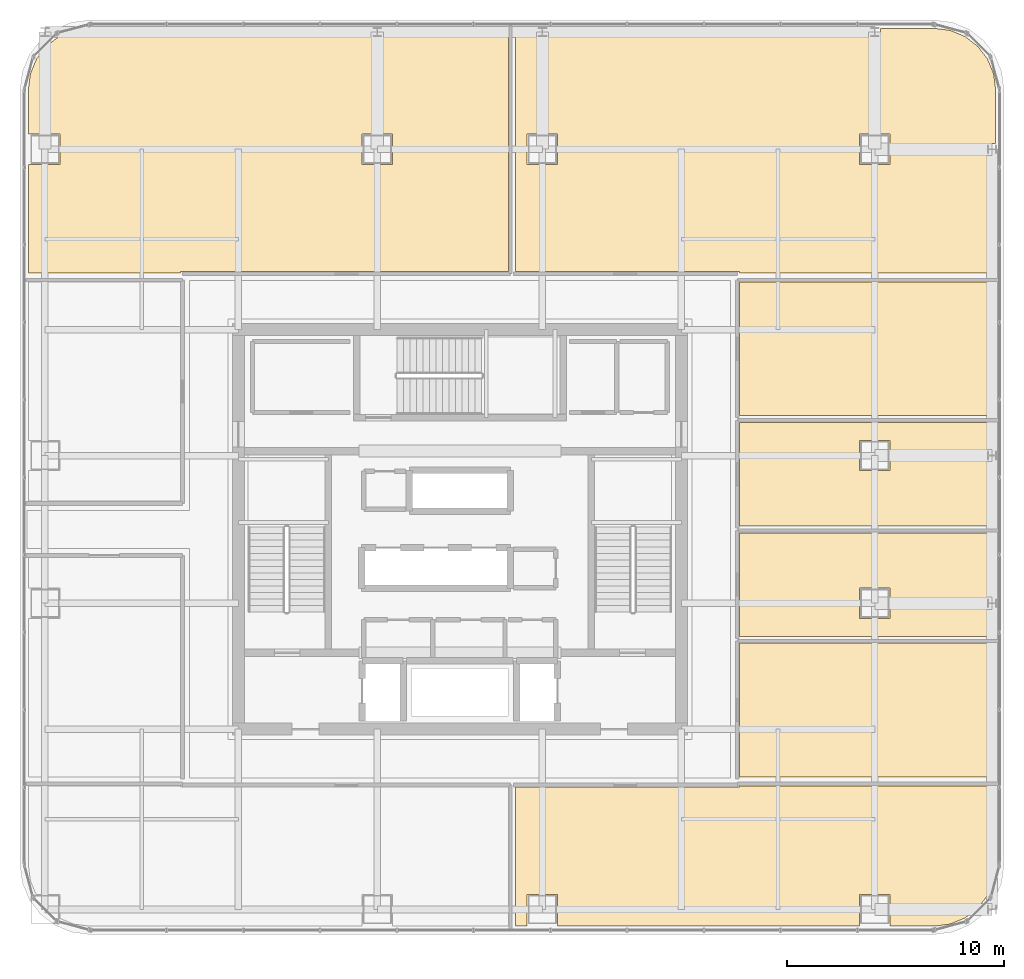
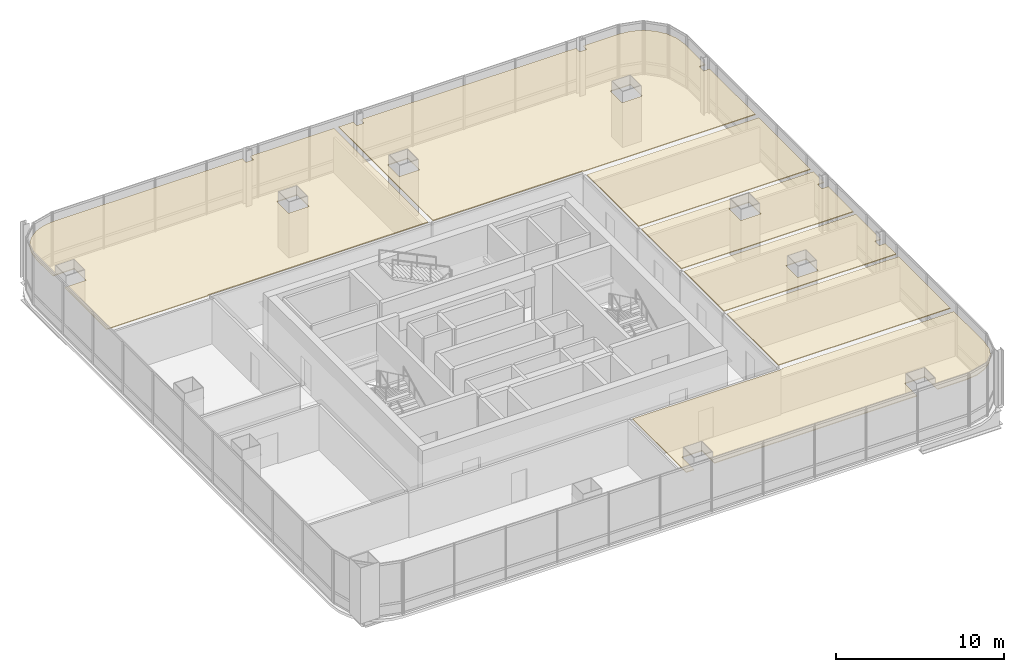
# One storey, part 39 of 39: 7 coverings.
"""IFC4 building model written with IfcOpenShell, lengths in metres."""

import ifcopenshell
import ifcopenshell.guid

model = None  # the IFC model being written
_history = None  # IfcOwnerHistory: only IFC2X3 demands one
_inside = {}  # id of a spatial element -> (the spatial element, [elements in it])
_under = {}  # id of a project, library or spatial element -> (it, [spatial elements below it])
_declared = {}  # id of a project -> (the project, [libraries it declares])
_typed = {}  # id of a type object -> (the type object, [elements of that type])
_made_of = {}  # id of a material, layer set ... -> (it, [elements and type objects made of it])


def new_model(schema):
    """Start an empty IFC model of exactly this schema.

    Asked for "IFC4X3", IfcOpenShell would pick the latest addendum, in which some entities
    have other attributes; the version numbers below select the first issue.
    IFC2X3 requires an IfcOwnerHistory on every rooted entity: one is made here for all.
    """
    global model, _history
    if schema == "IFC4X3":
        model = ifcopenshell.file(schema_version=(4, 3, 0, 0))
    else:
        model = ifcopenshell.file(schema=schema)
    _inside.clear()
    _under.clear()
    _declared.clear()
    _typed.clear()
    _made_of.clear()
    _history = None
    if model.schema == "IFC2X3":
        org = make("IfcOrganization", Name="unknown")
        user = make(
            "IfcPersonAndOrganization",
            ThePerson=make("IfcPerson", FamilyName="unknown"),
            TheOrganization=org,
        )
        app = make(
            "IfcApplication",
            ApplicationDeveloper=org,
            Version="unknown",
            ApplicationFullName="unknown",
            ApplicationIdentifier="unknown",
        )
        _history = make(
            "IfcOwnerHistory",
            OwningUser=user,
            OwningApplication=app,
            ChangeAction="ADDED",
            CreationDate=0,
        )
    return model


def make(cls, **values):
    """One entity of the class cls with the attributes given. An attribute that is None is left unset."""
    return model.create_entity(
        cls, **{name: value for name, value in values.items() if value is not None}
    )


def rooted(cls, **values):
    """An entity with a GlobalId (a new one), such as an element, a storey or a relation."""
    return make(cls, GlobalId=ifcopenshell.guid.new(), OwnerHistory=_history, **values)


def si_unit(unit_type, name, prefix=None):
    """IfcSIUnit, for example si_unit("LENGTHUNIT", "METRE", prefix="MILLI")."""
    return make("IfcSIUnit", UnitType=unit_type, Prefix=prefix, Name=name)


def assignment(units):
    """IfcUnitAssignment: the units of a project."""
    return None if units is None else make("IfcUnitAssignment", Units=units)


def point(xyz):
    """IfcCartesianPoint."""
    return None if xyz is None else make("IfcCartesianPoint", Coordinates=xyz)


def direction(xyz):
    """IfcDirection."""
    return None if xyz is None else make("IfcDirection", DirectionRatios=xyz)


def frame(location, z_axis=None, x_axis=None):
    """IfcAxis2Placement3D, a coordinate frame: its origin and axes. An axis left out is left unset."""
    return make(
        "IfcAxis2Placement3D",
        Location=point(location),
        Axis=direction(z_axis),
        RefDirection=direction(x_axis),
    )


def origin():
    """The frame at (0, 0, 0) with its axes left unset."""
    return frame((0.0, 0.0, 0.0))


def place(relative_to, where):
    """IfcLocalPlacement: puts the frame where relative to a parent placement (None: the world)."""
    return make(
        "IfcLocalPlacement", PlacementRelTo=relative_to, RelativePlacement=where
    )


def context(
    kind, dimensions, precision=None, world=None, true_north=None, identifier=None
):
    """IfcGeometricRepresentationContext, for example the 3D "Model" context."""
    return make(
        "IfcGeometricRepresentationContext",
        ContextIdentifier=identifier,
        ContextType=kind,
        CoordinateSpaceDimension=dimensions,
        Precision=precision,
        WorldCoordinateSystem=world,
        TrueNorth=true_north,
    )


def subcontext(parent, identifier, kind, view, scale=None):
    """IfcGeometricRepresentationSubContext, for example "Body" below "Model"."""
    return make(
        "IfcGeometricRepresentationSubContext",
        ContextIdentifier=identifier,
        ContextType=kind,
        ParentContext=parent,
        TargetScale=scale,
        TargetView=view,
    )


def project(units=None, contexts=None):
    """IfcProject with its units and contexts."""
    return rooted(
        "IfcProject",
        Name="project",
        RepresentationContexts=contexts,
        UnitsInContext=assignment(units),
    )


def spatial(cls, under=None, at=None, **own):
    """A site, building, storey or space (cls), placed at a placement, below another one or the project."""
    s = rooted(cls, ObjectPlacement=at, **own)
    if under is not None:
        _under.setdefault(under.id(), (under, []))[1].append(s)
    return s


def polyline(points):
    """IfcPolyline through the points."""
    return make("IfcPolyline", Points=[point(p) for p in points])


def outline(outer, holes=None, kind="AREA"):
    """IfcArbitraryClosedProfileDef: a profile drawn as a closed curve; with holes, ...WithVoids."""
    if holes is None:
        return make("IfcArbitraryClosedProfileDef", ProfileType=kind, OuterCurve=outer)
    return make(
        "IfcArbitraryProfileDefWithVoids",
        ProfileType=kind,
        OuterCurve=outer,
        InnerCurves=holes,
    )


def extrude(swept, where, along, depth):
    """IfcExtrudedAreaSolid: the profile swept, set in the frame where, extruded along a direction by depth."""
    return make(
        "IfcExtrudedAreaSolid",
        SweptArea=swept,
        Position=where,
        ExtrudedDirection=direction(along),
        Depth=depth,
    )


def shape(context_of_items, identifier, shape_type, items):
    """IfcShapeRepresentation: the items that make up one representation, for example the "Body"."""
    return make(
        "IfcShapeRepresentation",
        ContextOfItems=context_of_items,
        RepresentationIdentifier=identifier,
        RepresentationType=shape_type,
        Items=items,
    )


def material(Name=None, Category=None):
    """IfcMaterial."""
    return make("IfcMaterial", Name=Name, Category=Category)


def layer(
    of_material, thickness, ventilated=None, Name=None, Category=None, Priority=None
):
    """IfcMaterialLayer: one layer of a wall or slab, of a material (None: an air gap)."""
    return make(
        "IfcMaterialLayer",
        Material=of_material,
        LayerThickness=thickness,
        IsVentilated=ventilated,
        Name=Name,
        Category=Category,
        Priority=Priority,
    )


def layer_set(layers, Name=None):
    """IfcMaterialLayerSet."""
    return make("IfcMaterialLayerSet", MaterialLayers=layers, LayerSetName=Name)


def made_of(thing, what):
    """Note that an element or type object is made of a material, layer set ...; save() writes the relation."""
    if what is not None:
        _made_of.setdefault(what.id(), (what, []))[1].append(thing)
    return thing


def type_object(cls, material=None, **own):
    """A type object (cls), such as IfcWallType, which elements share."""
    return made_of(rooted(cls, **own), material)


def element(
    cls,
    number,
    at=None,
    inside=None,
    cuts=None,
    type_object=None,
    material=None,
    context=None,
    identifier="Body",
    shape_type=None,
    held_by="IfcProductDefinitionShape",
    body=None,
    shapes=None,
    **own,
):
    """One element of the class cls, such as IfcWall. Its Tag is "e" and its number.

    at: its placement. inside: the storey or other place that contains it. cuts: it is an
    opening in that element (IfcRelVoidsElement). A single representation is given by context,
    identifier, shape_type and body (its items); several are given by shapes. held_by: the class
    of the entity that holds the representations. save() writes the other relations.
    """
    e = rooted(cls, Tag="e%d" % number, ObjectPlacement=at, **own)
    if body is not None:
        shapes = [shape(context, identifier, shape_type, body)]
    if shapes is not None:
        e.Representation = make(held_by, Representations=shapes)
    if inside is not None:
        _inside.setdefault(inside.id(), (inside, []))[1].append(e)
    if cuts is not None:
        rooted(
            "IfcRelVoidsElement", RelatingBuildingElement=cuts, RelatedOpeningElement=e
        )
    if type_object is not None:
        _typed.setdefault(type_object.id(), (type_object, []))[1].append(e)
    return made_of(e, material)


def aggregate(whole, parts):
    """IfcRelAggregates: a whole, such as a stair, and the parts it consists of."""
    return rooted("IfcRelAggregates", RelatingObject=whole, RelatedObjects=parts)


def save(model, path):
    """Write the relations noted so far, then the file.

    IfcRelAggregates (storeys below a building ...), IfcRelContainedInSpatialStructure (elements
    in a storey), IfcRelDefinesByType, IfcRelAssociatesMaterial and IfcRelDeclares: one each for
    every whole, place, type object, material and project.
    """
    for whole, parts in _under.values():
        aggregate(whole, parts)
    for where, things in _inside.values():
        rooted(
            "IfcRelContainedInSpatialStructure",
            RelatedElements=things,
            RelatingStructure=where,
        )
    for kind, things in _typed.values():
        rooted("IfcRelDefinesByType", RelatedObjects=things, RelatingType=kind)
    for what, things in _made_of.values():
        rooted("IfcRelAssociatesMaterial", RelatedObjects=things, RelatingMaterial=what)
    for by, libraries in _declared.values():
        rooted("IfcRelDeclares", RelatingContext=by, RelatedDefinitions=libraries)
    model.write(path)


model = new_model("IFC4")

# Units and contexts
model_context = context("Model", 3, precision=1e-05, world=origin(), true_north=direction((0.0, 1.0)))
body_context = subcontext(model_context, "Body", "Model", "MODEL_VIEW")
ifc_project = project(units=[si_unit("LENGTHUNIT", "METRE"), si_unit("AREAUNIT", "SQUARE_METRE"), si_unit("VOLUMEUNIT", "CUBIC_METRE"), si_unit("PLANEANGLEUNIT", "RADIAN"), si_unit("MASSUNIT", "GRAM", prefix="KILO")], contexts=[model_context])

# Site, building, storey
site_placement = place(None, origin())
site = spatial("IfcSite", under=ifc_project, at=site_placement, CompositionType="ELEMENT")
building_placement = place(site_placement, origin())
building = spatial("IfcBuilding", under=site, at=building_placement, Name="Punatoya Terracotta Tower", CompositionType="ELEMENT")
storey_placement = place(building_placement, frame((0.0, 0.0, 275.699951171875)))
storey = spatial("IfcBuildingStorey", under=building, at=storey_placement, Name="L65", CompositionType="ELEMENT", Elevation=275.699951171875)

# Coverings
ifc_material = material(Name="Acoustic Mineral Fibre Ceiling")
ifc_layer = layer(ifc_material, 0.06005859375)
ifc_layer_set = layer_set([ifc_layer], Name="Acoustic Mineral Fibre Ceiling")
covering_type = type_object("IfcCoveringType", Name="COV-CEIL-60", PredefinedType="CEILING", material=ifc_layer_set)
covering_1_placement = place(storey_placement, frame((0.0, 0.0, 3.239990234375)))
element("IfcCovering", 1, at=covering_1_placement, inside=storey, type_object=covering_type, Name="L65 Open-Plan Analytical Practice Office Acoustic Ceiling", PredefinedType="CEILING", context=body_context, shape_type="SweptSolid", body=[
    extrude(outline(polyline([(3.10009765625, -18.27001953125), (3.10009765625, -16.800048828125), (4.5, -16.800048828125), (4.5, -18.27001953125), (18.39990234375, -18.27001953125), (18.39990234375, -16.800048828125), (19.800048828125, -16.800048828125), (19.800048828125, -18.27001953125), (21.8251953125, -18.27001953125), (22.5791015625, -18.1708984375), (23.25830078125, -17.889404296875), (23.841796875, -17.441650390625), (24.289306640625, -16.8583984375), (24.57080078125, -16.178955078125), (24.669921875, -15.425048828125), (24.669921875, -11.81005859375), (12.8701171875, -11.81005859375), (12.8701171875, -11.8701171875), (2.56005859375, -11.8701171875), (2.56005859375, -18.27001953125), (3.10009765625, -18.27001953125)])), origin(), (0.0, 0.0, 1.0), 0.06005859375),
])
covering_2_placement = place(storey_placement, frame((0.0, 0.0, 3.239990234375)))
element("IfcCovering", 2, at=covering_2_placement, inside=storey, type_object=covering_type, Name="L65 Project Design Office Acoustic Ceiling", PredefinedType="CEILING", context=body_context, shape_type="SweptSolid", body=[
    extrude(outline(polyline([(12.8701171875, -5.241943359375), (12.8701171875, -11.389892578125), (24.669921875, -11.389892578125), (24.669921875, -5.241943359375), (12.8701171875, -5.241943359375)])), origin(), (0.0, 0.0, 1.0), 0.06005859375),
])
covering_3_placement = place(storey_placement, frame((0.0, 0.0, 3.239990234375)))
element("IfcCovering", 3, at=covering_3_placement, inside=storey, type_object=covering_type, Name="L65 Open-Plan Digital Reference Library Acoustic Ceiling", PredefinedType="CEILING", context=body_context, shape_type="SweptSolid", body=[
    extrude(outline(polyline([(24.2470703125, -3.657958984375), (24.2470703125, -3.14208984375), (24.669921875, -3.14208984375), (24.669921875, -0.159912109375), (12.8701171875, -0.159912109375), (12.8701171875, -4.922119140625), (24.669921875, -4.922119140625), (24.669921875, -3.657958984375), (24.2470703125, -3.657958984375)]), holes=[polyline([(18.39990234375, -4.10009765625), (18.39990234375, -2.699951171875), (19.800048828125, -2.699951171875), (19.800048828125, -4.10009765625), (18.39990234375, -4.10009765625)])]), origin(), (0.0, 0.0, 1.0), 0.06005859375),
])
covering_4_placement = place(storey_placement, frame((0.0, 0.0, 3.239990234375)))
element("IfcCovering", 4, at=covering_4_placement, inside=storey, type_object=covering_type, Name="L65 Open-Plan Staff Tea Pantry Acoustic Ceiling", PredefinedType="CEILING", context=body_context, shape_type="SweptSolid", body=[
    extrude(outline(polyline([(12.8701171875, 4.922119140625), (12.8701171875, 0.159912109375), (24.669921875, 0.159912109375), (24.669921875, 3.14208984375), (24.2470703125, 3.14208984375), (24.2470703125, 3.657958984375), (24.669921875, 3.657958984375), (24.669921875, 4.922119140625), (12.8701171875, 4.922119140625)]), holes=[polyline([(18.39990234375, 4.10009765625), (19.800048828125, 4.10009765625), (19.800048828125, 2.699951171875), (18.39990234375, 2.699951171875), (18.39990234375, 4.10009765625)])]), origin(), (0.0, 0.0, 1.0), 0.06005859375),
])
covering_5_placement = place(storey_placement, frame((0.0, 0.0, 3.239990234375)))
element("IfcCovering", 5, at=covering_5_placement, inside=storey, type_object=covering_type, Name="L65 Systems Engineering Office Acoustic Ceiling", PredefinedType="CEILING", context=body_context, shape_type="SweptSolid", body=[
    extrude(outline(polyline([(12.8701171875, 11.389892578125), (12.8701171875, 5.241943359375), (24.669921875, 5.241943359375), (24.669921875, 11.389892578125), (12.8701171875, 11.389892578125)])), origin(), (0.0, 0.0, 1.0), 0.06005859375),
])
covering_6_placement = place(storey_placement, frame((0.0, 0.0, 3.239990234375)))
element("IfcCovering", 6, at=covering_6_placement, inside=storey, type_object=covering_type, Name="L65 Quantitative Practice Office Acoustic Ceiling", PredefinedType="CEILING", context=body_context, shape_type="SweptSolid", body=[
    extrude(outline(polyline([(-19.8701171875, 16.800048828125), (-19.8701171875, 11.81005859375), (-12.8701171875, 11.81005859375), (-12.8701171875, 11.8701171875), (2.239990234375, 11.8701171875), (2.239990234375, 23.070068359375), (-3.547119140625, 23.070068359375), (-3.547119140625, 22.64208984375), (-4.052978515625, 22.64208984375), (-4.052978515625, 23.070068359375), (-17.025146484375, 23.070068359375), (-17.779052734375, 22.970703125), (-18.458251953125, 22.689453125), (-19.041748046875, 22.24169921875), (-19.489501953125, 21.658203125), (-19.770751953125, 20.97900390625), (-19.8701171875, 20.22509765625), (-19.8701171875, 18.199951171875), (-18.39990234375, 18.199951171875), (-18.39990234375, 16.800048828125), (-19.8701171875, 16.800048828125)]), holes=[polyline([(-4.5, 16.800048828125), (-4.5, 18.199951171875), (-3.10009765625, 18.199951171875), (-3.10009765625, 16.800048828125), (-4.5, 16.800048828125)])]), origin(), (0.0, 0.0, 1.0), 0.06005859375),
])
covering_7_placement = place(storey_placement, frame((0.0, 0.0, 3.239990234375)))
element("IfcCovering", 7, at=covering_7_placement, inside=storey, type_object=covering_type, Name="L65 Regional Operations Office Acoustic Ceiling", PredefinedType="CEILING", context=body_context, shape_type="SweptSolid", body=[
    extrude(outline(polyline([(12.8701171875, 11.81005859375), (24.669921875, 11.81005859375), (24.669921875, 17.241943359375), (24.2470703125, 17.241943359375), (24.2470703125, 17.758056640625), (24.669921875, 17.758056640625), (24.669921875, 20.22509765625), (24.57080078125, 20.97900390625), (24.289306640625, 21.658203125), (23.841796875, 22.24169921875), (23.25830078125, 22.689453125), (22.5791015625, 22.970703125), (21.8251953125, 23.070068359375), (19.35302734375, 23.070068359375), (19.35302734375, 22.64208984375), (18.846923828125, 22.64208984375), (18.846923828125, 23.070068359375), (4.052978515625, 23.070068359375), (4.052978515625, 22.64208984375), (3.547119140625, 22.64208984375), (3.547119140625, 23.070068359375), (2.56005859375, 23.070068359375), (2.56005859375, 11.8701171875), (12.8701171875, 11.8701171875), (12.8701171875, 11.81005859375)]), holes=[polyline([(19.800048828125, 18.199951171875), (19.800048828125, 16.800048828125), (18.39990234375, 16.800048828125), (18.39990234375, 18.199951171875), (19.800048828125, 18.199951171875)]), polyline([(4.5, 16.800048828125), (3.10009765625, 16.800048828125), (3.10009765625, 18.199951171875), (4.5, 18.199951171875), (4.5, 16.800048828125)])]), origin(), (0.0, 0.0, 1.0), 0.06005859375),
])

save(model, "model.ifc")
